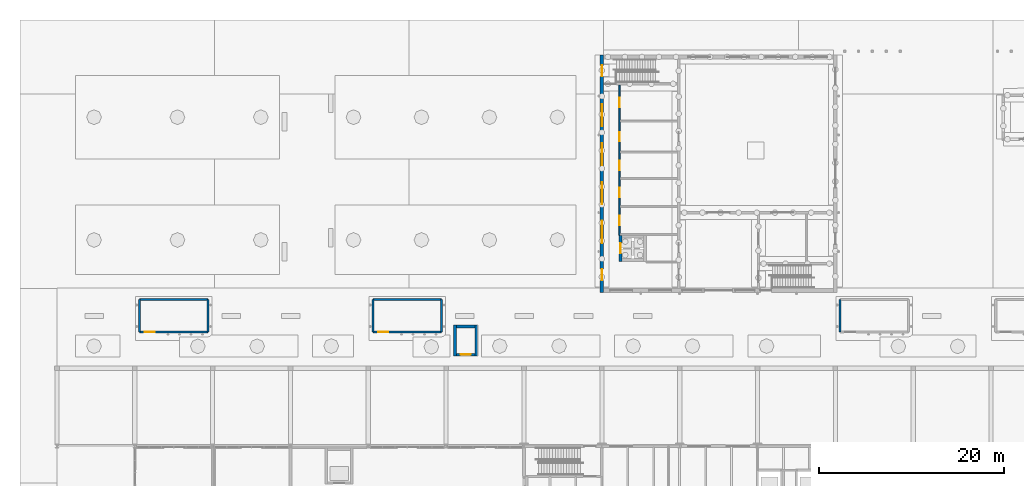
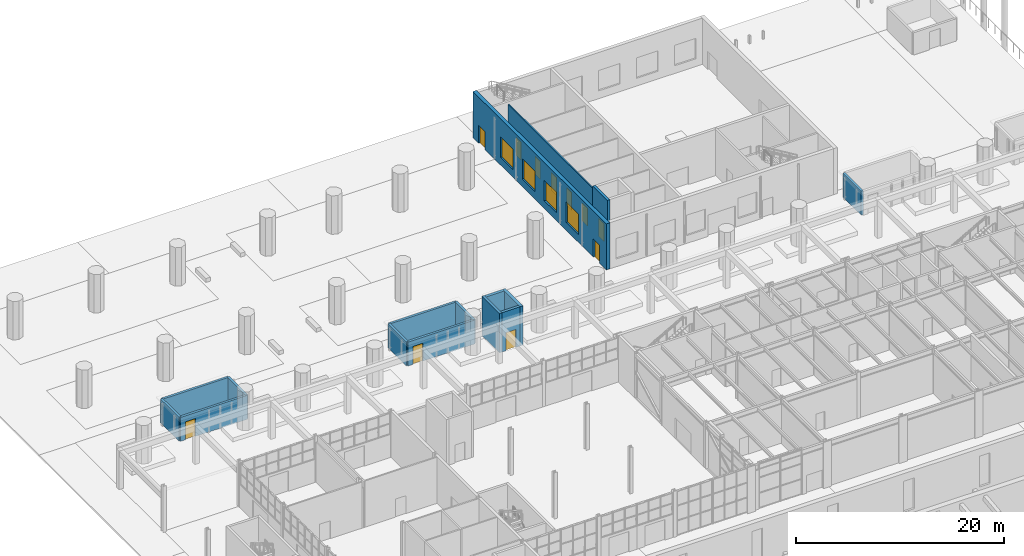
# One storey, part 73 of 127: 16 walls, 11 doors, 4 windows, 15 openings.
"""IFC4 building model written with IfcOpenShell, lengths in metres."""

from ifc_helpers import new_model, si_unit, direction, frame, frame_2d, origin, place, context, subcontext, project, spatial, rectangle, extrude, material, layer, layer_set, type_object, element, fill, save


model = new_model("IFC4")

# Units and contexts
model_context = context("Model", 3, precision=1e-05, world=origin(), true_north=direction((0.0, 1.0)))
body_context = subcontext(model_context, "Body", "Model", "MODEL_VIEW")
ifc_project = project(units=[si_unit("LENGTHUNIT", "METRE"), si_unit("AREAUNIT", "SQUARE_METRE"), si_unit("VOLUMEUNIT", "CUBIC_METRE"), si_unit("PLANEANGLEUNIT", "RADIAN"), si_unit("MASSUNIT", "GRAM", prefix="KILO")], contexts=[model_context])

# Site, building, storey
site_placement = place(None, origin())
site = spatial("IfcSite", under=ifc_project, at=site_placement, CompositionType="ELEMENT")
building_placement = place(site_placement, origin())
building = spatial("IfcBuilding", under=site, at=building_placement, Name="Ljudholm Concert House", CompositionType="ELEMENT")
storey_placement = place(building_placement, origin())
storey = spatial("IfcBuildingStorey", under=building, at=storey_placement, Name="L00", CompositionType="ELEMENT", Elevation=0.0)

# Wall, openings, doors
ifc_material_1 = material(Name="Gypsum board on steel studs", Category="steel")
ifc_layer_1 = layer(ifc_material_1, 0.14990234375)
ifc_layer_set_1 = layer_set([ifc_layer_1], Name="Gypsum board on steel studs")
wall_type_1 = type_object("IfcWallType", Name="GYPSUM PARTITION 150", PredefinedType="PARTITIONING", material=ifc_layer_set_1)
wall_1_placement = place(storey_placement, frame((64.72509765625, 152.75, 0.0), z_axis=(0.0, 0.0, 1.0), x_axis=(0.0, 1.0, 0.0)))
wall_1 = element("IfcWall", 1, at=wall_1_placement, inside=storey, type_object=wall_type_1, Name="Room partition", PredefinedType="PARTITIONING", context=body_context, shape_type="SweptSolid", body=[
    extrude(rectangle(XDim=16.25, YDim=0.14990234375, at=frame_2d((8.125, 0.0))), origin(), (0.0, 0.0, 1.0), 5.10009765625),
])
opening_1_placement = place(wall_1_placement, frame((1.10009765625, 0.0, 0.0)))
opening_1 = element("IfcOpeningElement", 2, at=opening_1_placement, cuts=wall_1, Name="Opening D-E00-009", PredefinedType="OPENING", context=body_context, shape_type="SweptSolid", body=[
    extrude(rectangle(XDim=1.0, YDim=2.10009765625, at=frame_2d((0.5, 1.050048828125))), frame((0.0, 0.0849609375, 0.0), z_axis=(0.0, -1.0, 0.0), x_axis=(1.0, 0.0, 0.0)), (0.0, 0.0, 1.0), 0.169921875),
])
opening_2_placement = place(wall_1_placement, frame((4.125, 0.0, 0.0)))
opening_2 = element("IfcOpeningElement", 3, at=opening_2_placement, cuts=wall_1, Name="Opening D-E00-010", PredefinedType="OPENING", context=body_context, shape_type="SweptSolid", body=[
    extrude(rectangle(XDim=1.0, YDim=2.10009765625, at=frame_2d((0.5, 1.050048828125))), frame((0.0, 0.0849609375, 0.0), z_axis=(0.0, -1.0, 0.0), x_axis=(1.0, 0.0, 0.0)), (0.0, 0.0, 1.0), 0.169921875),
])
opening_3_placement = place(wall_1_placement, frame((7.050048828125, 0.0, 0.0)))
opening_3 = element("IfcOpeningElement", 4, at=opening_3_placement, cuts=wall_1, Name="Opening D-E00-011", PredefinedType="OPENING", context=body_context, shape_type="SweptSolid", body=[
    extrude(rectangle(XDim=1.0, YDim=2.10009765625, at=frame_2d((0.5, 1.050048828125))), frame((0.0, 0.0849609375, 0.0), z_axis=(0.0, -1.0, 0.0), x_axis=(1.0, 0.0, 0.0)), (0.0, 0.0, 1.0), 0.169921875),
])
opening_4_placement = place(wall_1_placement, frame((10.14990234375, 0.0, 0.0)))
opening_4 = element("IfcOpeningElement", 5, at=opening_4_placement, cuts=wall_1, Name="Opening D-E00-012", PredefinedType="OPENING", context=body_context, shape_type="SweptSolid", body=[
    extrude(rectangle(XDim=1.0, YDim=2.10009765625, at=frame_2d((0.5, 1.050048828125))), frame((0.0, 0.0849609375, 0.0), z_axis=(0.0, -1.0, 0.0), x_axis=(1.0, 0.0, 0.0)), (0.0, 0.0, 1.0), 0.169921875),
])
opening_5_placement = place(wall_1_placement, frame((13.824951171875, 0.0, 0.0)))
opening_5 = element("IfcOpeningElement", 6, at=opening_5_placement, cuts=wall_1, Name="Opening D-E00-013", PredefinedType="OPENING", context=body_context, shape_type="SweptSolid", body=[
    extrude(rectangle(XDim=1.0, YDim=2.10009765625, at=frame_2d((0.5, 1.050048828125))), frame((0.0, 0.0849609375, 0.0), z_axis=(0.0, -1.0, 0.0), x_axis=(1.0, 0.0, 0.0)), (0.0, 0.0, 1.0), 0.169921875),
])
ifc_material_2 = material(Name="Hollow metal door in steel frame", Category="steel")
door_type_1 = type_object("IfcDoorType", Name="SWING DOOR 1000x2100", OperationType="SINGLE_SWING_LEFT", PredefinedType="DOOR", material=ifc_material_2)
door_1_placement = place(opening_1_placement, frame((1.0, 0.0, 0.0), z_axis=(0.0, 0.0, 1.0), x_axis=(-1.0, 0.0, 0.0)))
door_1 = element("IfcDoor", 7, at=door_1_placement, inside=storey, type_object=door_type_1, Name="Women's WC door", OperationType="SINGLE_SWING_LEFT", OverallHeight=2.10009765625, OverallWidth=1.0, PredefinedType="DOOR", context=body_context, shape_type="SweptSolid", body=[
    extrude(rectangle(XDim=1.0, YDim=2.10009765625, at=frame_2d((0.5, 1.050048828125))), frame((0.0, 0.02490234375, 0.0), z_axis=(0.0, -1.0, 0.0), x_axis=(1.0, 0.0, 0.0)), (0.0, 0.0, 1.0), 0.050048828125),
])
fill(opening_1, door_1)
door_2_placement = place(opening_2_placement, frame((1.0, 0.0, 0.0), z_axis=(0.0, 0.0, 1.0), x_axis=(-1.0, 0.0, 0.0)))
door_2 = element("IfcDoor", 8, at=door_2_placement, inside=storey, type_object=door_type_1, Name="Men's WC door", OperationType="SINGLE_SWING_RIGHT", OverallHeight=2.10009765625, OverallWidth=1.0, PredefinedType="DOOR", context=body_context, shape_type="SweptSolid", body=[
    extrude(rectangle(XDim=1.0, YDim=2.10009765625, at=frame_2d((0.5, 1.050048828125))), frame((0.0, 0.02490234375, 0.0), z_axis=(0.0, -1.0, 0.0), x_axis=(1.0, 0.0, 0.0)), (0.0, 0.0, 1.0), 0.050048828125),
])
fill(opening_2, door_2)
door_3_placement = place(opening_3_placement, frame((1.0, 0.0, 0.0), z_axis=(0.0, 0.0, 1.0), x_axis=(-1.0, 0.0, 0.0)))
door_3 = element("IfcDoor", 9, at=door_3_placement, inside=storey, type_object=door_type_1, Name="Accessible WC door", OperationType="SINGLE_SWING_LEFT", OverallHeight=2.10009765625, OverallWidth=1.0, PredefinedType="DOOR", context=body_context, shape_type="SweptSolid", body=[
    extrude(rectangle(XDim=1.0, YDim=2.10009765625, at=frame_2d((0.5, 1.050048828125))), frame((0.0, 0.02490234375, 0.0), z_axis=(0.0, -1.0, 0.0), x_axis=(1.0, 0.0, 0.0)), (0.0, 0.0, 1.0), 0.050048828125),
])
fill(opening_3, door_3)
door_4_placement = place(opening_4_placement, frame((1.0, 0.0, 0.0), z_axis=(0.0, 0.0, 1.0), x_axis=(-1.0, 0.0, 0.0)))
door_4 = element("IfcDoor", 10, at=door_4_placement, inside=storey, type_object=door_type_1, Name="Conductor's Room door", OperationType="SINGLE_SWING_LEFT", OverallHeight=2.10009765625, OverallWidth=1.0, PredefinedType="DOOR", context=body_context, shape_type="SweptSolid", body=[
    extrude(rectangle(XDim=1.0, YDim=2.10009765625, at=frame_2d((0.5, 1.050048828125))), frame((0.0, 0.02490234375, 0.0), z_axis=(0.0, -1.0, 0.0), x_axis=(1.0, 0.0, 0.0)), (0.0, 0.0, 1.0), 0.050048828125),
])
fill(opening_4, door_4)
door_5_placement = place(opening_5_placement, frame((1.0, 0.0, 0.0), z_axis=(0.0, 0.0, 1.0), x_axis=(-1.0, 0.0, 0.0)))
door_5 = element("IfcDoor", 11, at=door_5_placement, inside=storey, type_object=door_type_1, Name="Dressing Room 1 door", OperationType="SINGLE_SWING_LEFT", OverallHeight=2.10009765625, OverallWidth=1.0, PredefinedType="DOOR", context=body_context, shape_type="SweptSolid", body=[
    extrude(rectangle(XDim=1.0, YDim=2.10009765625, at=frame_2d((0.5, 1.050048828125))), frame((0.0, 0.02490234375, 0.0), z_axis=(0.0, -1.0, 0.0), x_axis=(1.0, 0.0, 0.0)), (0.0, 0.0, 1.0), 0.050048828125),
])
fill(opening_5, door_5)

# Wall, opening, door
ifc_material_3 = material(Name="Concrete 6,500 psi", Category="concrete")
ifc_layer_2 = layer(ifc_material_3, 0.25)
ifc_layer_set_2 = layer_set([ifc_layer_2], Name="Concrete 6,500 psi")
wall_type_2 = type_object("IfcWallType", Name="RC WALL 250 EXTERNAL", PredefinedType="SOLIDWALL", material=ifc_layer_set_2)
wall_2_placement = place(storey_placement, frame((12.89990234375, 142.324951171875, 0.0), z_axis=(0.0, 0.0, 1.0), x_axis=(1.0, 0.0, 0.0)))
wall_2 = element("IfcWall", 12, at=wall_2_placement, inside=storey, type_object=wall_type_2, Name="Stair enclosure wall", PredefinedType="SOLIDWALL", context=body_context, shape_type="SweptSolid", body=[
    extrude(rectangle(XDim=7.39501953125, YDim=0.25, at=frame_2d((3.697509765625, 0.0))), origin(), (0.0, 0.0, 1.0), 2.800048828125),
])
opening_6_placement = place(wall_2_placement, frame((0.550048828125, 0.0, 0.0)))
opening_6 = element("IfcOpeningElement", 13, at=opening_6_placement, cuts=wall_2, Name="Opening D-X00-001", PredefinedType="OPENING", context=body_context, shape_type="SweptSolid", body=[
    extrude(rectangle(XDim=1.10009765625, YDim=2.10009765625, at=frame_2d((0.550048828125, 1.050048828125))), frame((0.0, 0.135009765625, 0.0), z_axis=(0.0, -1.0, 0.0), x_axis=(1.0, 0.0, 0.0)), (0.0, 0.0, 1.0), 0.27001953125),
])
ifc_material_4 = material(Name="Hollow metal door in steel frame", Category="steel")
door_type_2 = type_object("IfcDoorType", Name="SWING DOOR 1100x2100 EXTERNAL", OperationType="SINGLE_SWING_LEFT", PredefinedType="DOOR", material=ifc_material_4)
door_6_placement = place(opening_6_placement, frame((1.10009765625, 0.0, 0.0), z_axis=(0.0, 0.0, 1.0), x_axis=(-1.0, 0.0, 0.0)))
door_6 = element("IfcDoor", 14, at=door_6_placement, inside=storey, type_object=door_type_2, Name="Final exit door", OperationType="SINGLE_SWING_LEFT", OverallHeight=2.10009765625, OverallWidth=1.10009765625, PredefinedType="DOOR", context=body_context, shape_type="SweptSolid", body=[
    extrude(rectangle(XDim=1.10009765625, YDim=2.10009765625, at=frame_2d((0.550048828125, 1.050048828125))), frame((0.0, 0.02490234375, 0.0), z_axis=(0.0, -1.0, 0.0), x_axis=(1.0, 0.0, 0.0)), (0.0, 0.0, 1.0), 0.050048828125),
])
fill(opening_6, door_6)

# Walls
wall_3_placement = place(storey_placement, frame((12.89990234375, 145.824951171875, 0.0), z_axis=(0.0, 0.0, 1.0), x_axis=(1.0, 0.0, 0.0)))
element("IfcWall", 15, at=wall_3_placement, inside=storey, type_object=wall_type_2, Name="Stair enclosure wall", PredefinedType="SOLIDWALL", context=body_context, shape_type="SweptSolid", body=[
    extrude(rectangle(XDim=7.39501953125, YDim=0.25, at=frame_2d((3.697509765625, 0.0))), origin(), (0.0, 0.0, 1.0), 2.800048828125),
])
for number, where, z_axis, x_axis, name in (
    (16, (12.89990234375, 142.324951171875, 0.0), (0.0, 0.0, 1.0), (0.0, 1.0, 0.0), "Stair enclosure wall"),
    (17, (20.294921875, 142.324951171875, 0.0), (0.0, 0.0, 1.0), (0.0, 1.0, 0.0), "Stair enclosure wall"),
):
    element("IfcWall", number, at=place(storey_placement, frame(where, z_axis=z_axis, x_axis=x_axis)), inside=storey, type_object=wall_type_2, Name=name, PredefinedType="SOLIDWALL", context=body_context, shape_type="SweptSolid", body=[
        extrude(rectangle(XDim=3.5, YDim=0.25, at=frame_2d((1.75, 0.0))), origin(), (0.0, 0.0, 1.0), 2.800048828125),
    ])

# Wall, opening, door
wall_4_placement = place(storey_placement, frame((38.10009765625, 142.324951171875, 0.0), z_axis=(0.0, 0.0, 1.0), x_axis=(1.0, 0.0, 0.0)))
wall_4 = element("IfcWall", 18, at=wall_4_placement, inside=storey, type_object=wall_type_2, Name="Stair enclosure wall", PredefinedType="SOLIDWALL", context=body_context, shape_type="SweptSolid", body=[
    extrude(rectangle(XDim=7.39501953125, YDim=0.25, at=frame_2d((3.697509765625, 0.0))), origin(), (0.0, 0.0, 1.0), 2.800048828125),
])
opening_7_placement = place(wall_4_placement, frame((0.550048828125, 0.0, 0.0)))
opening_7 = element("IfcOpeningElement", 19, at=opening_7_placement, cuts=wall_4, Name="Opening D-X00-002", PredefinedType="OPENING", context=body_context, shape_type="SweptSolid", body=[
    extrude(rectangle(XDim=1.10009765625, YDim=2.10009765625, at=frame_2d((0.550048828125, 1.050048828125))), frame((0.0, 0.135009765625, 0.0), z_axis=(0.0, -1.0, 0.0), x_axis=(1.0, 0.0, 0.0)), (0.0, 0.0, 1.0), 0.27001953125),
])
door_7_placement = place(opening_7_placement, frame((1.10009765625, 0.0, 0.0), z_axis=(0.0, 0.0, 1.0), x_axis=(-1.0, 0.0, 0.0)))
door_7 = element("IfcDoor", 20, at=door_7_placement, inside=storey, type_object=door_type_2, Name="Final exit door", OperationType="SINGLE_SWING_RIGHT", OverallHeight=2.10009765625, OverallWidth=1.10009765625, PredefinedType="DOOR", context=body_context, shape_type="SweptSolid", body=[
    extrude(rectangle(XDim=1.10009765625, YDim=2.10009765625, at=frame_2d((0.550048828125, 1.050048828125))), frame((0.0, 0.02490234375, 0.0), z_axis=(0.0, -1.0, 0.0), x_axis=(1.0, 0.0, 0.0)), (0.0, 0.0, 1.0), 0.050048828125),
])
fill(opening_7, door_7)

# Walls
wall_5_placement = place(storey_placement, frame((38.10009765625, 145.824951171875, 0.0), z_axis=(0.0, 0.0, 1.0), x_axis=(1.0, 0.0, 0.0)))
element("IfcWall", 21, at=wall_5_placement, inside=storey, type_object=wall_type_2, Name="Stair enclosure wall", PredefinedType="SOLIDWALL", context=body_context, shape_type="SweptSolid", body=[
    extrude(rectangle(XDim=7.39501953125, YDim=0.25, at=frame_2d((3.697509765625, 0.0))), origin(), (0.0, 0.0, 1.0), 2.800048828125),
])
for number, where, z_axis, x_axis, name in (
    (22, (38.10009765625, 142.324951171875, 0.0), (0.0, 0.0, 1.0), (0.0, 1.0, 0.0), "Stair enclosure wall"),
    (23, (45.4951171875, 142.324951171875, 0.0), (0.0, 0.0, 1.0), (0.0, 1.0, 0.0), "Stair enclosure wall"),
    (24, (88.5, 142.324951171875, 0.0), (0.0, 0.0, 1.0), (0.0, 1.0, 0.0), "Stair enclosure wall"),
):
    element("IfcWall", number, at=place(storey_placement, frame(where, z_axis=z_axis, x_axis=x_axis)), inside=storey, type_object=wall_type_2, Name=name, PredefinedType="SOLIDWALL", context=body_context, shape_type="SweptSolid", body=[
        extrude(rectangle(XDim=3.5, YDim=0.25, at=frame_2d((1.75, 0.0))), origin(), (0.0, 0.0, 1.0), 2.800048828125),
    ])

# Wall, opening, door
ifc_material_5 = material(Name="Concrete 6,500 psi", Category="concrete")
ifc_layer_3 = layer(ifc_material_5, 0.300048828125)
ifc_layer_set_3 = layer_set([ifc_layer_3], Name="Concrete 6,500 psi")
wall_type_3 = type_object("IfcWallType", Name="RC WALL 300", PredefinedType="SOLIDWALL", material=ifc_layer_set_3)
wall_6_placement = place(storey_placement, frame((64.800048828125, 149.949951171875, 0.0), z_axis=(0.0, 0.0, 1.0), x_axis=(0.0, 1.0, 0.0)))
wall_6 = element("IfcWall", 25, at=wall_6_placement, inside=storey, type_object=wall_type_3, Name="Lift shaft wall", PredefinedType="SOLIDWALL", context=body_context, shape_type="SweptSolid", body=[
    extrude(rectangle(XDim=2.800048828125, YDim=0.300048828125, at=frame_2d((1.39990234375, 0.0))), origin(), (0.0, 0.0, 1.0), 5.39990234375),
])
opening_8_placement = place(wall_6_placement, frame((0.85009765625, 0.0, 0.0)))
opening_8 = element("IfcOpeningElement", 26, at=opening_8_placement, cuts=wall_6, Name="Opening LD-E00-001", PredefinedType="OPENING", context=body_context, shape_type="SweptSolid", body=[
    extrude(rectangle(XDim=1.10009765625, YDim=2.10009765625, at=frame_2d((0.550048828125, 1.050048828125))), frame((0.0, 0.159912109375, 0.0), z_axis=(0.0, -1.0, 0.0), x_axis=(1.0, 0.0, 0.0)), (0.0, 0.0, 1.0), 0.320068359375),
])
ifc_material_6 = material(Name="Stainless steel sliding landing door, fire-rated", Category="steel")
door_type_3 = type_object("IfcDoorType", Name="LIFT DOOR 1100x2100", OperationType="SLIDING_TO_LEFT", PredefinedType="DOOR", material=ifc_material_6)
door_8_placement = place(opening_8_placement, origin())
door_8 = element("IfcDoor", 27, at=door_8_placement, inside=storey, type_object=door_type_3, Name="Lift landing door", OperationType="SLIDING_TO_LEFT", OverallHeight=2.10009765625, OverallWidth=1.10009765625, PredefinedType="DOOR", context=body_context, shape_type="SweptSolid", body=[
    extrude(rectangle(XDim=1.10009765625, YDim=2.10009765625, at=frame_2d((0.550048828125, 1.050048828125))), frame((0.0, 0.02490234375, 0.0), z_axis=(0.0, -1.0, 0.0), x_axis=(1.0, 0.0, 0.0)), (0.0, 0.0, 1.0), 0.050048828125),
])
fill(opening_8, door_8)

# Walls
for number, where, z_axis, x_axis, name in (
    (28, (46.949951171875, 139.72509765625, 0.0), (0.0, 0.0, 1.0), (0.0, 1.0, 0.0), "Lift shaft wall"),
    (29, (49.25, 139.72509765625, 0.0), (0.0, 0.0, 1.0), (0.0, 1.0, 0.0), "Lift shaft wall"),
):
    element("IfcWall", number, at=place(storey_placement, frame(where, z_axis=z_axis, x_axis=x_axis)), inside=storey, type_object=wall_type_3, Name=name, PredefinedType="SOLIDWALL", context=body_context, shape_type="SweptSolid", body=[
        extrude(rectangle(XDim=3.349853515625, YDim=0.300048828125, at=frame_2d((1.6748046875, 0.0))), origin(), (0.0, 0.0, 1.0), 4.60009765625),
    ])

# Wall, opening, door
wall_7_placement = place(storey_placement, frame((47.10009765625, 139.875, 0.0), z_axis=(0.0, 0.0, 1.0), x_axis=(1.0, 0.0, 0.0)))
wall_7 = element("IfcWall", 30, at=wall_7_placement, inside=storey, type_object=wall_type_3, Name="Lift shaft wall", PredefinedType="SOLIDWALL", context=body_context, shape_type="SweptSolid", body=[
    extrude(rectangle(XDim=2.0, YDim=0.300048828125, at=frame_2d((1.0, 0.0))), origin(), (0.0, 0.0, 1.0), 4.60009765625),
])
opening_9_placement = place(wall_7_placement, frame((0.449951171875, 0.0, 0.0)))
opening_9 = element("IfcOpeningElement", 31, at=opening_9_placement, cuts=wall_7, Name="Opening LD-X00-005", PredefinedType="OPENING", context=body_context, shape_type="SweptSolid", body=[
    extrude(rectangle(XDim=1.10009765625, YDim=2.10009765625, at=frame_2d((0.550048828125, 1.050048828125))), frame((0.0, 0.159912109375, 0.0), z_axis=(0.0, -1.0, 0.0), x_axis=(1.0, 0.0, 0.0)), (0.0, 0.0, 1.0), 0.320068359375),
])
door_9_placement = place(opening_9_placement, origin())
door_9 = element("IfcDoor", 32, at=door_9_placement, inside=storey, type_object=door_type_3, Name="Lift landing door", OperationType="SLIDING_TO_LEFT", OverallHeight=2.10009765625, OverallWidth=1.10009765625, PredefinedType="DOOR", context=body_context, shape_type="SweptSolid", body=[
    extrude(rectangle(XDim=1.10009765625, YDim=2.10009765625, at=frame_2d((0.550048828125, 1.050048828125))), frame((0.0, 0.02490234375, 0.0), z_axis=(0.0, -1.0, 0.0), x_axis=(1.0, 0.0, 0.0)), (0.0, 0.0, 1.0), 0.050048828125),
])
fill(opening_9, door_9)

# Wall
wall_8_placement = place(storey_placement, frame((47.10009765625, 142.925048828125, 0.0), z_axis=(0.0, 0.0, 1.0), x_axis=(1.0, 0.0, 0.0)))
element("IfcWall", 33, at=wall_8_placement, inside=storey, type_object=wall_type_3, Name="Lift shaft wall", PredefinedType="SOLIDWALL", context=body_context, shape_type="SweptSolid", body=[
    extrude(rectangle(XDim=2.0, YDim=0.300048828125, at=frame_2d((1.0, 0.0))), origin(), (0.0, 0.0, 1.0), 4.60009765625),
])

# Wall, openings, windows, doors
ifc_material_7 = material(Name="Concrete 6,500 psi", Category="concrete")
ifc_layer_4 = layer(ifc_material_7, 0.39990234375)
ifc_layer_set_4 = layer_set([ifc_layer_4], Name="Concrete 6,500 psi")
wall_type_4 = type_object("IfcWallType", Name="RC WALL 400", PredefinedType="SOLIDWALL", material=ifc_layer_set_4)
wall_9_placement = place(storey_placement, frame((62.800048828125, 146.60009765625, 0.0), z_axis=(0.0, 0.0, 1.0), x_axis=(0.0, 1.0, 0.0)))
wall_9 = element("IfcWall", 34, at=wall_9_placement, inside=storey, type_object=wall_type_4, Name="Outer wall W", PredefinedType="SOLIDWALL", context=body_context, shape_type="SweptSolid", body=[
    extrude(rectangle(XDim=25.599853515625, YDim=0.39990234375, at=frame_2d((12.7998046875, 0.0))), origin(), (0.0, 0.0, 1.0), 5.39990234375),
])
opening_10_placement = place(wall_9_placement, frame((23.300048828125, 0.0, 0.0)))
opening_10 = element("IfcOpeningElement", 35, at=opening_10_placement, cuts=wall_9, Name="Opening D-E00-004", PredefinedType="OPENING", context=body_context, shape_type="SweptSolid", body=[
    extrude(rectangle(XDim=1.199951171875, YDim=2.10009765625, at=frame_2d((0.60009765625, 1.050048828125))), frame((0.0, 0.2099609375, 0.0), z_axis=(0.0, -1.0, 0.0), x_axis=(1.0, 0.0, 0.0)), (0.0, 0.0, 1.0), 0.419921875),
])
opening_11_placement = place(wall_9_placement, frame((1.300048828125, 0.0, 0.0)))
opening_11 = element("IfcOpeningElement", 36, at=opening_11_placement, cuts=wall_9, Name="Opening D-E00-005", PredefinedType="OPENING", context=body_context, shape_type="SweptSolid", body=[
    extrude(rectangle(XDim=1.199951171875, YDim=2.10009765625, at=frame_2d((0.60009765625, 1.050048828125))), frame((0.0, 0.2099609375, 0.0), z_axis=(0.0, -1.0, 0.0), x_axis=(1.0, 0.0, 0.0)), (0.0, 0.0, 1.0), 0.419921875),
])
opening_12_placement = place(wall_9_placement, frame((5.300048828125, 0.0, 0.89990234375)))
opening_12 = element("IfcOpeningElement", 37, at=opening_12_placement, cuts=wall_9, Name="Opening X-E00-005", PredefinedType="OPENING", context=body_context, shape_type="SweptSolid", body=[
    extrude(rectangle(XDim=2.39990234375, YDim=2.39990234375, at=frame_2d((1.199951171875, 1.199951171875))), frame((0.0, 0.2099609375, 0.0), z_axis=(0.0, -1.0, 0.0), x_axis=(1.0, 0.0, 0.0)), (0.0, 0.0, 1.0), 0.419921875),
])
opening_13_placement = place(wall_9_placement, frame((9.5, 0.0, 0.89990234375)))
opening_13 = element("IfcOpeningElement", 38, at=opening_13_placement, cuts=wall_9, Name="Opening X-E00-006", PredefinedType="OPENING", context=body_context, shape_type="SweptSolid", body=[
    extrude(rectangle(XDim=2.39990234375, YDim=2.39990234375, at=frame_2d((1.199951171875, 1.199951171875))), frame((0.0, 0.2099609375, 0.0), z_axis=(0.0, -1.0, 0.0), x_axis=(1.0, 0.0, 0.0)), (0.0, 0.0, 1.0), 0.419921875),
])
opening_14_placement = place(wall_9_placement, frame((13.699951171875, 0.0, 0.89990234375)))
opening_14 = element("IfcOpeningElement", 39, at=opening_14_placement, cuts=wall_9, Name="Opening X-E00-007", PredefinedType="OPENING", context=body_context, shape_type="SweptSolid", body=[
    extrude(rectangle(XDim=2.39990234375, YDim=2.39990234375, at=frame_2d((1.199951171875, 1.199951171875))), frame((0.0, 0.2099609375, 0.0), z_axis=(0.0, -1.0, 0.0), x_axis=(1.0, 0.0, 0.0)), (0.0, 0.0, 1.0), 0.419921875),
])
opening_15_placement = place(wall_9_placement, frame((17.89990234375, 0.0, 0.89990234375)))
opening_15 = element("IfcOpeningElement", 40, at=opening_15_placement, cuts=wall_9, Name="Opening X-E00-008", PredefinedType="OPENING", context=body_context, shape_type="SweptSolid", body=[
    extrude(rectangle(XDim=2.39990234375, YDim=2.39990234375, at=frame_2d((1.199951171875, 1.199951171875))), frame((0.0, 0.2099609375, 0.0), z_axis=(0.0, -1.0, 0.0), x_axis=(1.0, 0.0, 0.0)), (0.0, 0.0, 1.0), 0.419921875),
])
ifc_material_8 = material(Name="Aluminium frame, impact glazing", Category="aluminium")
window_type = type_object("IfcWindowType", Name="FIXED WINDOW 2400x2400", PartitioningType="SINGLE_PANEL", PredefinedType="WINDOW", material=ifc_material_8)
window_1_placement = place(opening_12_placement, origin())
window_1 = element("IfcWindow", 41, at=window_1_placement, inside=storey, type_object=window_type, Name="Corridor window", OverallHeight=2.39990234375, OverallWidth=2.39990234375, PartitioningType="SINGLE_PANEL", PredefinedType="WINDOW", context=body_context, shape_type="SweptSolid", body=[
    extrude(rectangle(XDim=2.39990234375, YDim=2.39990234375, at=frame_2d((1.199951171875, 1.199951171875))), frame((0.0, 0.030029296875, 0.0), z_axis=(0.0, -1.0, 0.0), x_axis=(1.0, 0.0, 0.0)), (0.0, 0.0, 1.0), 0.06005859375),
])
fill(opening_12, window_1)
window_2_placement = place(opening_13_placement, origin())
window_2 = element("IfcWindow", 42, at=window_2_placement, inside=storey, type_object=window_type, Name="Corridor window", OverallHeight=2.39990234375, OverallWidth=2.39990234375, PartitioningType="SINGLE_PANEL", PredefinedType="WINDOW", context=body_context, shape_type="SweptSolid", body=[
    extrude(rectangle(XDim=2.39990234375, YDim=2.39990234375, at=frame_2d((1.199951171875, 1.199951171875))), frame((0.0, 0.030029296875, 0.0), z_axis=(0.0, -1.0, 0.0), x_axis=(1.0, 0.0, 0.0)), (0.0, 0.0, 1.0), 0.06005859375),
])
fill(opening_13, window_2)
window_3_placement = place(opening_14_placement, origin())
window_3 = element("IfcWindow", 43, at=window_3_placement, inside=storey, type_object=window_type, Name="Corridor window", OverallHeight=2.39990234375, OverallWidth=2.39990234375, PartitioningType="SINGLE_PANEL", PredefinedType="WINDOW", context=body_context, shape_type="SweptSolid", body=[
    extrude(rectangle(XDim=2.39990234375, YDim=2.39990234375, at=frame_2d((1.199951171875, 1.199951171875))), frame((0.0, 0.030029296875, 0.0), z_axis=(0.0, -1.0, 0.0), x_axis=(1.0, 0.0, 0.0)), (0.0, 0.0, 1.0), 0.06005859375),
])
fill(opening_14, window_3)
window_4_placement = place(opening_15_placement, origin())
window_4 = element("IfcWindow", 44, at=window_4_placement, inside=storey, type_object=window_type, Name="Corridor window", OverallHeight=2.39990234375, OverallWidth=2.39990234375, PartitioningType="SINGLE_PANEL", PredefinedType="WINDOW", context=body_context, shape_type="SweptSolid", body=[
    extrude(rectangle(XDim=2.39990234375, YDim=2.39990234375, at=frame_2d((1.199951171875, 1.199951171875))), frame((0.0, 0.030029296875, 0.0), z_axis=(0.0, -1.0, 0.0), x_axis=(1.0, 0.0, 0.0)), (0.0, 0.0, 1.0), 0.06005859375),
])
fill(opening_15, window_4)
ifc_material_9 = material(Name="Hollow metal door in steel frame", Category="steel")
door_type_4 = type_object("IfcDoorType", Name="SWING DOOR 1200x2100 EXTERNAL", OperationType="SINGLE_SWING_LEFT", PredefinedType="DOOR", material=ifc_material_9)
door_10_placement = place(opening_10_placement, origin())
door_10 = element("IfcDoor", 45, at=door_10_placement, inside=storey, type_object=door_type_4, Name="Final exit S1", OperationType="SINGLE_SWING_RIGHT", OverallHeight=2.10009765625, OverallWidth=1.199951171875, PredefinedType="DOOR", context=body_context, shape_type="SweptSolid", body=[
    extrude(rectangle(XDim=1.199951171875, YDim=2.10009765625, at=frame_2d((0.60009765625, 1.050048828125))), frame((0.0, 0.02490234375, 0.0), z_axis=(0.0, -1.0, 0.0), x_axis=(1.0, 0.0, 0.0)), (0.0, 0.0, 1.0), 0.050048828125),
])
fill(opening_10, door_10)
door_11_placement = place(opening_11_placement, origin())
door_11 = element("IfcDoor", 46, at=door_11_placement, inside=storey, type_object=door_type_4, Name="Musicians' entrance", OperationType="SINGLE_SWING_RIGHT", OverallHeight=2.10009765625, OverallWidth=1.199951171875, PredefinedType="DOOR", context=body_context, shape_type="SweptSolid", body=[
    extrude(rectangle(XDim=1.199951171875, YDim=2.10009765625, at=frame_2d((0.60009765625, 1.050048828125))), frame((0.0, 0.02490234375, 0.0), z_axis=(0.0, -1.0, 0.0), x_axis=(1.0, 0.0, 0.0)), (0.0, 0.0, 1.0), 0.050048828125),
])
fill(opening_11, door_11)

save(model, "model.ifc")
